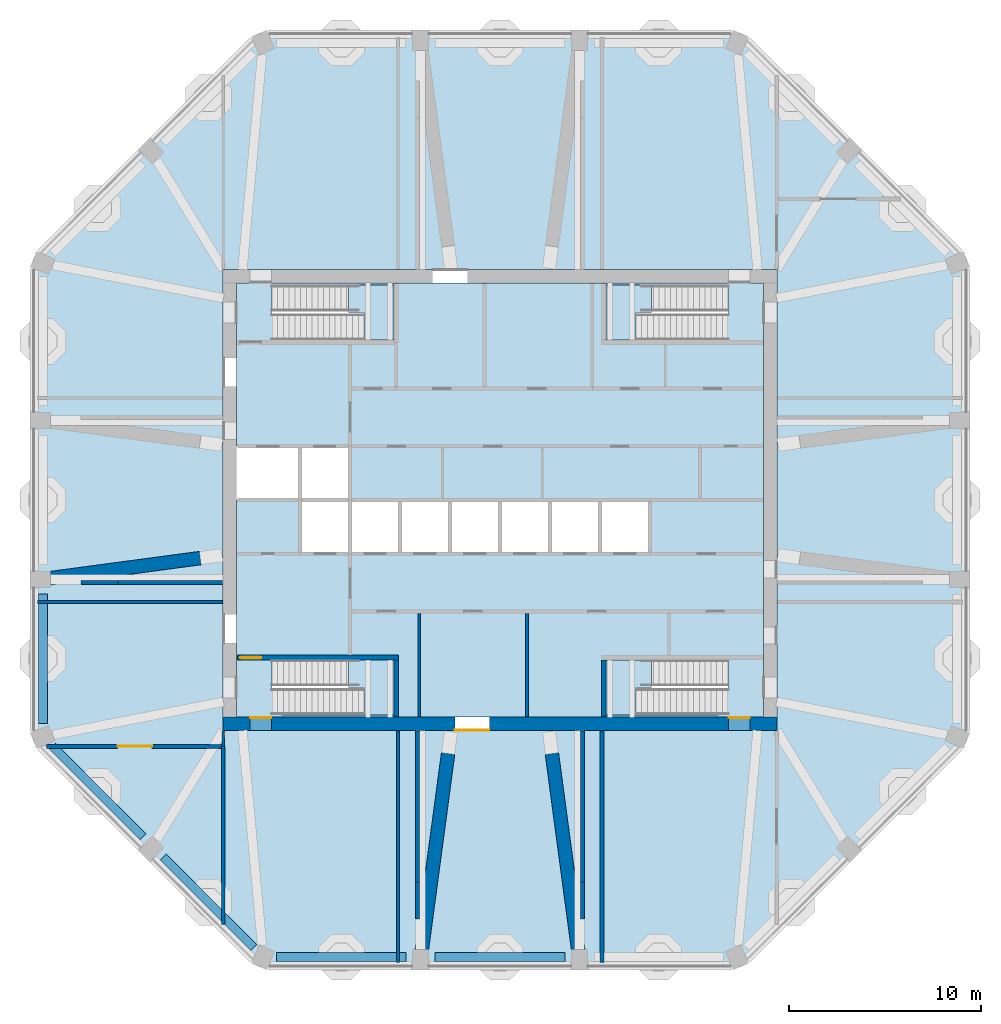
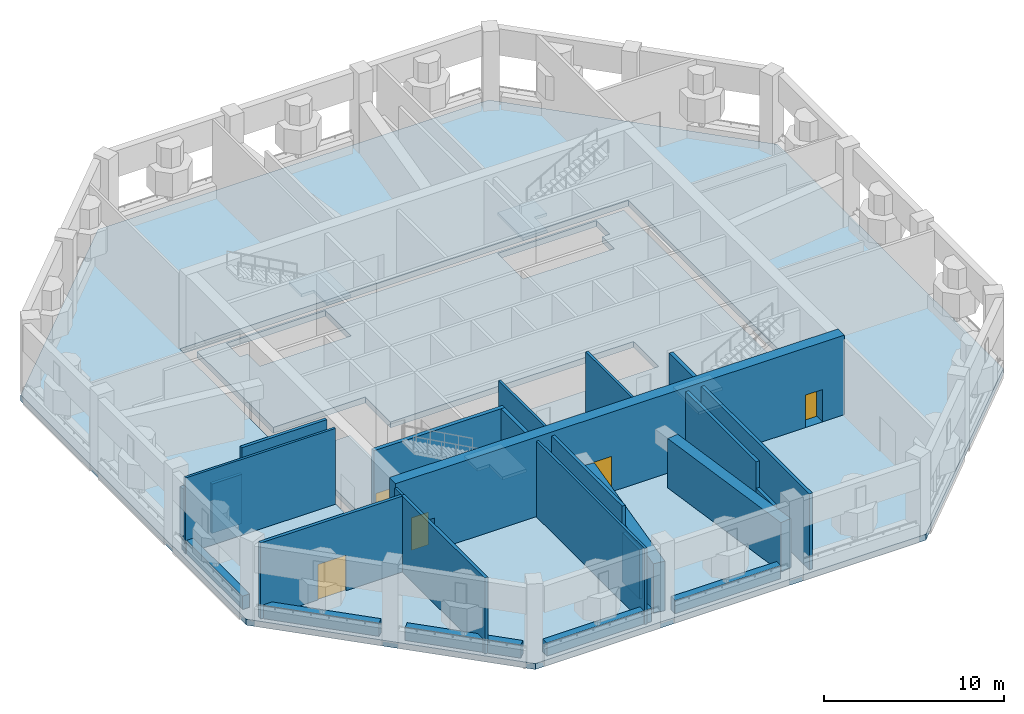
# One storey, part 2 of 9: 26 walls, 6 slabs, 5 doors, 5 openings, 4 elements without a shape of their own.
"""IFC4 building model written with IfcOpenShell, lengths in metres."""

from ifc_helpers import new_model, si_unit, direction, frame, frame_2d, origin, place, context, subcontext, project, spatial, polyline, rectangle, outline, extrude, material, layer, layer_set, type_object, element, fill, aggregate, save


model = new_model("IFC4")

# Units and contexts
model_context = context("Model", 3, precision=1e-05, world=origin(), true_north=direction((0.0, 1.0)))
body_context = subcontext(model_context, "Body", "Model", "MODEL_VIEW")
ifc_project = project(units=[si_unit("LENGTHUNIT", "METRE"), si_unit("AREAUNIT", "SQUARE_METRE"), si_unit("VOLUMEUNIT", "CUBIC_METRE"), si_unit("PLANEANGLEUNIT", "RADIAN"), si_unit("MASSUNIT", "GRAM", prefix="KILO")], contexts=[model_context])

# Site, building, storey
site_placement = place(None, origin())
site = spatial("IfcSite", under=ifc_project, at=site_placement, CompositionType="ELEMENT")
building_placement = place(site_placement, origin())
building = spatial("IfcBuilding", under=site, at=building_placement, Name="Msitu Wima Residences", CompositionType="ELEMENT")
storey_placement = place(building_placement, frame((0.0, 0.0, 208.5)))
storey = spatial("IfcBuildingStorey", under=building, at=storey_placement, Name="L48", CompositionType="ELEMENT", Elevation=208.5)

# Slabs
ifc_material_1 = material(Name="Concrete C40/50", Category="concrete")
ifc_layer_1 = layer(ifc_material_1, 0.402099609375)
ifc_layer_set_1 = layer_set([ifc_layer_1], Name="Concrete C40/50")
slab_type_1 = type_object("IfcSlabType", Name="Core floor CF402", PredefinedType="FLOOR", material=ifc_layer_set_1)
slab_1_placement = place(storey_placement, frame((0.0, 0.0, -0.402099609375)))
element("IfcSlab", 1, at=slab_1_placement, inside=storey, type_object=slab_type_1, Name="Core floor", PredefinedType="FLOOR", context=body_context, shape_type="SweptSolid", body=[
    extrude(outline(polyline([(-13.699951171875, 11.300048828125), (-13.699951171875, 2.800048828125), (-10.39990234375, 2.800048828125), (-7.800048828125, 2.800048828125), (-7.800048828125, 0.0), (-5.199951171875, 0.0), (-2.60009765625, 0.0), (0.0, 0.0), (2.60009765625, 0.0), (5.199951171875, 0.0), (7.800048828125, 0.0), (7.800048828125, -2.800048828125), (5.199951171875, -2.800048828125), (2.60009765625, -2.800048828125), (0.0, -2.800048828125), (-2.60009765625, -2.800048828125), (-5.199951171875, -2.800048828125), (-7.800048828125, -2.800048828125), (-10.39990234375, -2.800048828125), (-10.39990234375, 0.0), (-13.699951171875, 0.0), (-13.699951171875, -11.300048828125), (13.699951171875, -11.300048828125), (13.699951171875, 11.300048828125), (-13.699951171875, 11.300048828125)]), holes=[polyline([(-11.375, -11.175048828125), (-11.375, -9.824951171875), (-11.87451171875, -9.824951171875), (-11.87451171875, -8.324951171875), (-5.52490234375, -8.324951171875), (-5.52490234375, -11.175048828125), (-11.375, -11.175048828125)]), polyline([(-11.375, 8.324951171875), (-11.375, 9.675048828125), (-11.87451171875, 9.675048828125), (-11.87451171875, 11.175048828125), (-5.52490234375, 11.175048828125), (-5.52490234375, 8.324951171875), (-11.375, 8.324951171875)]), polyline([(11.375, -9.824951171875), (11.375, -11.175048828125), (5.52490234375, -11.175048828125), (5.52490234375, -8.324951171875), (11.87451171875, -8.324951171875), (11.87451171875, -9.824951171875), (11.375, -9.824951171875)]), polyline([(11.375, 9.675048828125), (11.375, 8.324951171875), (5.52490234375, 8.324951171875), (5.52490234375, 11.175048828125), (11.87451171875, 11.175048828125), (11.87451171875, 9.675048828125), (11.375, 9.675048828125)])]), origin(), (0.0, 0.0, 1.0), 0.402099609375),
])
ifc_layer_2 = layer(ifc_material_1, 0.39990234375)
ifc_layer_set_2 = layer_set([ifc_layer_2], Name="Concrete C40/50")
slab_type_2 = type_object("IfcSlabType", Name="PT flat slab 400 Concrete C40/50", PredefinedType="FLOOR", material=ifc_layer_set_2)
slab_2_placement = place(storey_placement, frame((0.0, 0.0, -0.400390625)))
element("IfcSlab", 2, at=slab_2_placement, inside=storey, type_object=slab_type_2, Name="Floor slab L48", PredefinedType="FLOOR", context=body_context, shape_type="SweptSolid", body=[
    extrude(outline(polyline([(24.300048828125, -12.5361328125), (12.5361328125, -24.300048828125), (-12.5361328125, -24.300048828125), (-24.300048828125, -12.5361328125), (-24.300048828125, 12.5361328125), (-12.5361328125, 24.300048828125), (12.5361328125, 24.300048828125), (24.300048828125, 12.5361328125), (24.300048828125, -12.5361328125)]), holes=[polyline([(-14.39990234375, -12.0), (14.39990234375, -12.0), (14.39990234375, 12.0), (-14.39990234375, 12.0), (-14.39990234375, -12.0)])]), origin(), (0.0, 0.0, 1.0), 0.400390625),
])

# Stair, slab
stair_type = type_object("IfcStairType", Name="Exit stair ES1636-135", PredefinedType="HALF_TURN_STAIR", material=ifc_material_1)
stair_1_placement = place(storey_placement, origin())
stair_1 = element("IfcStair", 3, at=stair_1_placement, inside=storey, type_object=stair_type, Name="Exit stair 1", PredefinedType="HALF_TURN_STAIR")
ifc_layer_3 = layer(ifc_material_1, 0.199951171875)
ifc_layer_set_3 = layer_set([ifc_layer_3], Name="Concrete C40/50")
slab_type_3 = type_object("IfcSlabType", Name="Stair landing SL200", PredefinedType="LANDING", material=ifc_layer_set_3)
slab_3_placement = place(storey_placement, frame((0.0, 0.0, 2.581787109375)))
slab_3 = element("IfcSlab", 4, at=slab_3_placement, type_object=slab_type_3, Name="S1 landing 1", PredefinedType="LANDING", context=body_context, shape_type="SweptSolid", body=[
    extrude(outline(polyline([(-5.52490234375, 8.324951171875), (-7.075439453125, 8.324951171875), (-7.075439453125, 9.75), (-7.875, 9.75), (-7.875, 11.175048828125), (-5.52490234375, 11.175048828125), (-5.52490234375, 8.324951171875)])), origin(), (0.0, 0.0, 1.0), 0.199951171875),
])
aggregate(stair_1, [slab_3])

stair_2_placement = place(storey_placement, origin())
stair_2 = element("IfcStair", 5, at=stair_2_placement, inside=storey, type_object=stair_type, Name="Exit stair 2", PredefinedType="HALF_TURN_STAIR")
slab_4_placement = place(storey_placement, frame((0.0, 0.0, 2.581787109375)))
slab_4 = element("IfcSlab", 6, at=slab_4_placement, type_object=slab_type_3, Name="S2 landing 1", PredefinedType="LANDING", context=body_context, shape_type="SweptSolid", body=[
    extrude(outline(polyline([(-5.52490234375, -11.175048828125), (-7.075439453125, -11.175048828125), (-7.075439453125, -9.75), (-7.875, -9.75), (-7.875, -8.324951171875), (-5.52490234375, -8.324951171875), (-5.52490234375, -11.175048828125)])), origin(), (0.0, 0.0, 1.0), 0.199951171875),
])
aggregate(stair_2, [slab_4])

stair_3_placement = place(storey_placement, origin())
stair_3 = element("IfcStair", 7, at=stair_3_placement, inside=storey, type_object=stair_type, Name="Exit stair 3", PredefinedType="HALF_TURN_STAIR")
slab_5_placement = place(storey_placement, frame((0.0, 0.0, 2.581787109375)))
slab_5 = element("IfcSlab", 8, at=slab_5_placement, type_object=slab_type_3, Name="S3 landing 1", PredefinedType="LANDING", context=body_context, shape_type="SweptSolid", body=[
    extrude(outline(polyline([(5.52490234375, 8.324951171875), (7.075439453125, 8.324951171875), (7.075439453125, 9.75), (7.875, 9.75), (7.875, 11.175048828125), (5.52490234375, 11.175048828125), (5.52490234375, 8.324951171875)])), origin(), (0.0, 0.0, 1.0), 0.199951171875),
])
aggregate(stair_3, [slab_5])

stair_4_placement = place(storey_placement, origin())
stair_4 = element("IfcStair", 9, at=stair_4_placement, inside=storey, type_object=stair_type, Name="Exit stair 4", PredefinedType="HALF_TURN_STAIR")
slab_6_placement = place(storey_placement, frame((0.0, 0.0, 2.581787109375)))
slab_6 = element("IfcSlab", 10, at=slab_6_placement, type_object=slab_type_3, Name="S4 landing 1", PredefinedType="LANDING", context=body_context, shape_type="SweptSolid", body=[
    extrude(outline(polyline([(5.52490234375, -11.175048828125), (7.075439453125, -11.175048828125), (7.075439453125, -9.75), (7.875, -9.75), (7.875, -8.324951171875), (5.52490234375, -8.324951171875), (5.52490234375, -11.175048828125)])), origin(), (0.0, 0.0, 1.0), 0.199951171875),
])
aggregate(stair_4, [slab_6])

# Walls
ifc_material_2 = material(Name="Facing brick")
ifc_layer_4 = layer(ifc_material_2, 0.06494140625, Name="Facing brick")
ifc_layer_5 = layer(ifc_material_1, 0.156005859375, Name="Concrete C40/50")
ifc_material_3 = material(Name="Waterproofing membrane")
ifc_layer_6 = layer(ifc_material_3, 0.00390625, Name="Waterproofing membrane")
ifc_material_4 = material(Name="Planting soil and planting")
ifc_layer_7 = layer(ifc_material_4, 0.22509765625, Name="Planting soil and planting")
ifc_layer_set_4 = layer_set([ifc_layer_4, ifc_layer_5, ifc_layer_6, ifc_layer_7], Name="Concrete C40/50")
wall_type_1 = type_object("IfcWallType", Name="Balcony planter PLANTER PL450", PredefinedType="USERDEFINED", material=ifc_layer_set_4)
wall_1_placement = place(storey_placement, frame((-23.77490234375, -4.88720703125, 0.0), z_axis=(0.0, 0.0, 1.0), x_axis=(0.0, -1.0, 0.0)))
element("IfcWall", 11, at=wall_1_placement, inside=storey, type_object=wall_type_1, Name="Refuge planter L48 W2", ObjectType="PLANTER", PredefinedType="USERDEFINED", context=body_context, shape_type="SweptSolid", body=[
    extrude(rectangle(XDim=6.737548828125, YDim=0.449951171875, at=frame_2d((3.36865234375, 0.0))), origin(), (0.0, 0.0, 1.0), 0.89990234375),
])
for number, where, z_axis, x_axis, name in (
    (12, (-23.284423828125, -12.809326171875, 0.0), (0.0, 0.0, 1.0), (0.707125118305, -0.707088443593, 0.0), "Refuge planter L48 SW0"),
    (13, (-17.516357421875, -18.5771484375, 0.0), (0.0, 0.0, 1.0), (0.707088443593, -0.707125118305, 0.0), "Refuge planter L48 SW1"),
):
    element("IfcWall", number, at=place(storey_placement, frame(where, z_axis=z_axis, x_axis=x_axis)), inside=storey, type_object=wall_type_1, Name=name, ObjectType="PLANTER", PredefinedType="USERDEFINED", context=body_context, shape_type="SweptSolid", body=[
        extrude(rectangle(XDim=6.656982421875, YDim=0.449951171875, at=frame_2d((3.32861328125, 0.0))), origin(), (0.0, 0.0, 1.0), 0.89990234375),
    ])
wall_2_placement = place(storey_placement, frame((-11.624755859375, -23.77490234375, 0.0), z_axis=(0.0, 0.0, 1.0), x_axis=(1.0, 0.0, 0.0)))
element("IfcWall", 14, at=wall_2_placement, inside=storey, type_object=wall_type_1, Name="Refuge planter L48 S0", ObjectType="PLANTER", PredefinedType="USERDEFINED", context=body_context, shape_type="SweptSolid", body=[
    extrude(rectangle(XDim=6.737548828125, YDim=0.449951171875, at=frame_2d((3.36865234375, 0.0))), origin(), (0.0, 0.0, 1.0), 0.89990234375),
])
wall_3_placement = place(storey_placement, frame((-3.38720703125, -23.77490234375, 0.0), z_axis=(0.0, 0.0, 1.0), x_axis=(1.0, 0.0, 0.0)))
element("IfcWall", 15, at=wall_3_placement, inside=storey, type_object=wall_type_1, Name="Refuge planter L48 S1", ObjectType="PLANTER", PredefinedType="USERDEFINED", context=body_context, shape_type="SweptSolid", body=[
    extrude(rectangle(XDim=6.7744140625, YDim=0.449951171875, at=frame_2d((3.38720703125, 0.0))), origin(), (0.0, 0.0, 1.0), 0.89990234375),
])

# Wall, openings, doors
ifc_material_5 = material(Name="Concrete C60/75", Category="concrete")
ifc_layer_8 = layer(ifc_material_5, 0.699951171875)
ifc_layer_set_5 = layer_set([ifc_layer_8], Name="Concrete C60/75")
wall_type_2 = type_object("IfcWallType", Name="Core wall CW700 C60/75", PredefinedType="SHEAR", material=ifc_layer_set_5)
wall_4_placement = place(storey_placement, frame((-14.39990234375, -11.64990234375, 0.0), z_axis=(0.0, 0.0, 1.0), x_axis=(1.0, 0.0, 0.0)))
wall_4 = element("IfcWall", 16, at=wall_4_placement, inside=storey, type_object=wall_type_2, Name="Core wall", PredefinedType="SHEAR", context=body_context, shape_type="SweptSolid", body=[
    extrude(rectangle(XDim=28.7998046875, YDim=0.699951171875, at=frame_2d((14.39990234375, 0.0))), origin(), (0.0, 0.0, 1.0), 5.39990234375),
])
opening_1_placement = place(wall_4_placement, frame((1.39990234375, 0.0, 0.0)))
opening_1 = element("IfcOpeningElement", 17, at=opening_1_placement, cuts=wall_4, Name="Opening D48.021", PredefinedType="OPENING", context=body_context, shape_type="SweptSolid", body=[
    extrude(rectangle(XDim=1.10009765625, YDim=2.199951171875, at=frame_2d((0.550048828125, 1.10009765625))), frame((0.0, 0.35986328125, 0.0), z_axis=(0.0, -1.0, 0.0), x_axis=(1.0, 0.0, 0.0)), (0.0, 0.0, 1.0), 0.719970703125),
])
opening_2_placement = place(wall_4_placement, frame((26.300048828125, 0.0, 0.0)))
opening_2 = element("IfcOpeningElement", 18, at=opening_2_placement, cuts=wall_4, Name="Opening D48.023", PredefinedType="OPENING", context=body_context, shape_type="SweptSolid", body=[
    extrude(rectangle(XDim=1.10009765625, YDim=2.199951171875, at=frame_2d((0.550048828125, 1.10009765625))), frame((0.0, 0.35986328125, 0.0), z_axis=(0.0, -1.0, 0.0), x_axis=(1.0, 0.0, 0.0)), (0.0, 0.0, 1.0), 0.719970703125),
])
opening_3_placement = place(wall_4_placement, frame((12.050048828125, 0.0, 0.0)))
opening_3 = element("IfcOpeningElement", 19, at=opening_3_placement, cuts=wall_4, Name="Opening D48.025", PredefinedType="OPENING", context=body_context, shape_type="SweptSolid", body=[
    extrude(rectangle(XDim=1.800048828125, YDim=2.39990234375, at=frame_2d((0.89990234375, 1.199951171875))), frame((0.0, 0.35986328125, 0.0), z_axis=(0.0, -1.0, 0.0), x_axis=(1.0, 0.0, 0.0)), (0.0, 0.0, 1.0), 0.719970703125),
])
ifc_material_6 = material(Name="Steel door, fire resisting", Category="steel")
door_type_1 = type_object("IfcDoorType", Name="Plant room door D09 1800x2400", OperationType="DOUBLE_DOOR_SINGLE_SWING", PredefinedType="DOOR", material=ifc_material_6)
door_1_placement = place(opening_3_placement, origin())
door_1 = element("IfcDoor", 20, at=door_1_placement, inside=storey, type_object=door_type_1, Name="Plant room door", OperationType="DOUBLE_DOOR_SINGLE_SWING", OverallHeight=2.39990234375, OverallWidth=1.800048828125, PredefinedType="DOOR", context=body_context, shape_type="SweptSolid", body=[
    extrude(rectangle(XDim=1.800048828125, YDim=2.39990234375, at=frame_2d((0.89990234375, 1.199951171875))), frame((0.0, -0.294921875, 0.0), z_axis=(0.0, -1.0, 0.0), x_axis=(1.0, 0.0, 0.0)), (0.0, 0.0, 1.0), 0.050048828125),
])
fill(opening_3, door_1)
ifc_material_7 = material(Name="Steel door, fire resisting, panic bar", Category="steel")
door_type_2 = type_object("IfcDoorType", Name="Stair door D06 1100x2200", OperationType="SINGLE_SWING_LEFT", PredefinedType="DOOR", material=ifc_material_7)
door_2_placement = place(opening_1_placement, origin())
door_2 = element("IfcDoor", 21, at=door_2_placement, inside=storey, type_object=door_type_2, Name="Stair door", OperationType="SINGLE_SWING_LEFT", OverallHeight=2.199951171875, OverallWidth=1.10009765625, PredefinedType="DOOR", context=body_context, shape_type="SweptSolid", body=[
    extrude(rectangle(XDim=1.10009765625, YDim=2.199951171875, at=frame_2d((0.550048828125, 1.10009765625))), frame((0.0, 0.34521484375, 0.0), z_axis=(0.0, -1.0, 0.0), x_axis=(1.0, 0.0, 0.0)), (0.0, 0.0, 1.0), 0.050048828125),
])
fill(opening_1, door_2)
door_3_placement = place(opening_2_placement, origin())
door_3 = element("IfcDoor", 22, at=door_3_placement, inside=storey, type_object=door_type_2, Name="Stair door", OperationType="SINGLE_SWING_RIGHT", OverallHeight=2.199951171875, OverallWidth=1.10009765625, PredefinedType="DOOR", context=body_context, shape_type="SweptSolid", body=[
    extrude(rectangle(XDim=1.10009765625, YDim=2.199951171875, at=frame_2d((0.550048828125, 1.10009765625))), frame((0.0, 0.34521484375, 0.0), z_axis=(0.0, -1.0, 0.0), x_axis=(1.0, 0.0, 0.0)), (0.0, 0.0, 1.0), 0.050048828125),
])
fill(opening_2, door_3)

# Walls
ifc_material_8 = material(Name="Concrete C80/95", Category="concrete")
ifc_layer_9 = layer(ifc_material_8, 0.699951171875)
ifc_layer_set_6 = layer_set([ifc_layer_9], Name="Concrete C80/95")
wall_type_3 = type_object("IfcWallType", Name="Outrigger wall 700 Concrete C80/95", PredefinedType="SHEAR", material=ifc_layer_set_6)
wall_5_placement = place(storey_placement, frame((-15.58935546875, -3.021240234375, 0.0), z_axis=(0.0, 0.0, 1.0), x_axis=(-0.991157137801, -0.132693361503, 0.0)))
element("IfcWall", 23, at=wall_5_placement, inside=storey, type_object=wall_type_3, Name="Outrigger wall L48 C-W2", PredefinedType="SHEAR", context=body_context, shape_type="SweptSolid", body=[
    extrude(rectangle(XDim=7.880126953125, YDim=0.699951171875, at=frame_2d((3.93994140625, 0.0))), origin(), (0.0, 0.0, 1.0), 3.35009765625),
])
for number, where, z_axis, x_axis, name in (
    (24, (-2.699951171875, -13.189453125, 0.0), (0.0, 0.0, 1.0), (-0.132693057304, -0.991157178526, 0.0), "Outrigger wall L48 C-S1"),
    (25, (2.699951171875, -13.189453125, 0.0), (0.0, 0.0, 1.0), (0.132693057304, -0.991157178526, 0.0), "Outrigger wall L48 C-S2"),
):
    element("IfcWall", number, at=place(storey_placement, frame(where, z_axis=z_axis, x_axis=x_axis)), inside=storey, type_object=wall_type_3, Name=name, PredefinedType="SHEAR", context=body_context, shape_type="SweptSolid", body=[
        extrude(rectangle(XDim=10.301513671875, YDim=0.699951171875, at=frame_2d((5.15087890625, 0.0))), origin(), (0.0, 0.0, 1.0), 3.35009765625),
    ])
ifc_material_9 = material(Name="Plaster")
ifc_layer_10 = layer(ifc_material_9, 0.011962890625, Name="Plaster")
ifc_material_10 = material(Name="Concrete blockwork", Category="masonry")
ifc_layer_11 = layer(ifc_material_10, 0.1259765625, Name="Concrete blockwork")
ifc_layer_12 = layer(ifc_material_9, 0.011962890625, Name="Plaster")
ifc_layer_set_7 = layer_set([ifc_layer_10, ifc_layer_11, ifc_layer_12], Name="Concrete blockwork")
wall_type_4 = type_object("IfcWallType", Name="Partition PW150", PredefinedType="PARTITIONING", material=ifc_layer_set_7)
wall_6_placement = place(storey_placement, frame((-24.054931640625, -5.300048828125, 0.0), z_axis=(0.0, 0.0, 1.0), x_axis=(1.0, 0.0, 0.0)))
element("IfcWall", 26, at=wall_6_placement, inside=storey, type_object=wall_type_4, Name="Partition", PredefinedType="PARTITIONING", context=body_context, shape_type="SweptSolid", body=[
    extrude(rectangle(XDim=9.625, YDim=0.14990234375, at=frame_2d((4.8125, 0.0))), origin(), (0.0, 0.0, 1.0), 5.14990234375),
])
wall_7_placement = place(storey_placement, frame((-14.39990234375, -12.8203125, 0.0), z_axis=(0.0, 0.0, 1.0), x_axis=(0.0, 1.0, 0.0)))
element("IfcWall", 27, at=wall_7_placement, inside=storey, type_object=wall_type_4, Name="Partition", PredefinedType="PARTITIONING", context=body_context, shape_type="SweptSolid", body=[
    extrude(rectangle(XDim=0.790283203125, YDim=0.14990234375, at=frame_2d((0.39501953125, 0.0))), origin(), (0.0, 0.0, 1.0), 5.14990234375),
])
wall_8_placement = place(storey_placement, frame((-5.300048828125, -24.054931640625, 0.0), z_axis=(0.0, 0.0, 1.0), x_axis=(0.0, 1.0, 0.0)))
element("IfcWall", 28, at=wall_8_placement, inside=storey, type_object=wall_type_4, Name="Partition", PredefinedType="PARTITIONING", context=body_context, shape_type="SweptSolid", body=[
    extrude(rectangle(XDim=12.02490234375, YDim=0.14990234375, at=frame_2d((6.012451171875, 0.0))), origin(), (0.0, 0.0, 1.0), 5.14990234375),
])
for number, where, z_axis, x_axis, name in (
    (29, (-4.199951171875, -11.27001953125, 0.0), (0.0, 0.0, 1.0), (0.0, 1.0, 0.0), "Partition"),
    (30, (1.39990234375, -11.27001953125, 0.0), (0.0, 0.0, 1.0), (0.0, 1.0, 0.0), "Partition"),
):
    element("IfcWall", number, at=place(storey_placement, frame(where, z_axis=z_axis, x_axis=x_axis)), inside=storey, type_object=wall_type_4, Name=name, PredefinedType="PARTITIONING", context=body_context, shape_type="SweptSolid", body=[
        extrude(rectangle(XDim=5.3701171875, YDim=0.14990234375, at=frame_2d((2.68505859375, 0.0))), origin(), (0.0, 0.0, 1.0), 5.14990234375),
    ])
ifc_layer_13 = layer(ifc_material_9, 0.011962890625, Name="Plaster")
ifc_material_11 = material(Name="Reinforced concrete blockwork", Category="masonry")
ifc_layer_14 = layer(ifc_material_11, 0.176025390625, Name="Reinforced concrete blockwork")
ifc_layer_15 = layer(ifc_material_9, 0.011962890625, Name="Plaster")
ifc_layer_set_8 = layer_set([ifc_layer_13, ifc_layer_14, ifc_layer_15], Name="Reinforced concrete blockwork")
wall_type_5 = type_object("IfcWallType", Name="Plant and riser wall PL200", PredefinedType="PARTITIONING", material=ifc_layer_set_8)
wall_9_placement = place(storey_placement, frame((-21.802978515625, -4.300048828125, 0.0), z_axis=(0.0, 0.0, 1.0), x_axis=(1.0, 0.0, 0.0)))
element("IfcWall", 31, at=wall_9_placement, inside=storey, type_object=wall_type_5, Name="Plant and riser wall", PredefinedType="PARTITIONING", context=body_context, shape_type="SweptSolid", body=[
    extrude(rectangle(XDim=1.9306640625, YDim=0.199951171875, at=frame_2d((0.96533203125, 0.0))), origin(), (0.0, 0.0, 1.0), 3.35009765625),
])
wall_10_placement = place(storey_placement, frame((-19.872314453125, -4.300048828125, 0.0), z_axis=(0.0, 0.0, 1.0), x_axis=(1.0, 0.0, 0.0)))
element("IfcWall", 32, at=wall_10_placement, inside=storey, type_object=wall_type_5, Name="Plant and riser wall", PredefinedType="PARTITIONING", context=body_context, shape_type="SweptSolid", body=[
    extrude(rectangle(XDim=5.4423828125, YDim=0.199951171875, at=frame_2d((2.72119140625, 0.0))), origin(), (0.0, 0.0, 1.0), 5.14990234375),
])

# Wall, opening, door
wall_11_placement = place(storey_placement, frame((-23.599365234375, -12.8203125, 0.0), z_axis=(0.0, 0.0, 1.0), x_axis=(1.0, 0.0, 0.0)))
wall_11 = element("IfcWall", 33, at=wall_11_placement, inside=storey, type_object=wall_type_5, Name="Plant and riser wall", PredefinedType="PARTITIONING", context=body_context, shape_type="SweptSolid", body=[
    extrude(rectangle(XDim=9.099365234375, YDim=0.199951171875, at=frame_2d((4.5498046875, 0.0))), origin(), (0.0, 0.0, 1.0), 5.14990234375),
])
opening_4_placement = place(wall_11_placement, frame((3.699951171875, 0.0, 0.0)))
opening_4 = element("IfcOpeningElement", 34, at=opening_4_placement, cuts=wall_11, Name="Opening D48.033", PredefinedType="OPENING", context=body_context, shape_type="SweptSolid", body=[
    extrude(rectangle(XDim=1.800048828125, YDim=2.39990234375, at=frame_2d((0.89990234375, 1.199951171875))), frame((0.0, 0.10986328125, 0.0), z_axis=(0.0, -1.0, 0.0), x_axis=(1.0, 0.0, 0.0)), (0.0, 0.0, 1.0), 0.219970703125),
])
door_4_placement = place(opening_4_placement, origin())
door_4 = element("IfcDoor", 35, at=door_4_placement, inside=storey, type_object=door_type_1, Name="Plant room door", OperationType="DOUBLE_DOOR_SINGLE_SWING", OverallHeight=2.39990234375, OverallWidth=1.800048828125, PredefinedType="DOOR", context=body_context, shape_type="SweptSolid", body=[
    extrude(rectangle(XDim=1.800048828125, YDim=2.39990234375, at=frame_2d((0.89990234375, 1.199951171875))), frame((0.0, 0.02490234375, 0.0), z_axis=(0.0, -1.0, 0.0), x_axis=(1.0, 0.0, 0.0)), (0.0, 0.0, 1.0), 0.050048828125),
])
fill(opening_4, door_4)

# Walls
wall_12_placement = place(storey_placement, frame((-14.39990234375, -22.089599609375, 0.0), z_axis=(0.0, 0.0, 1.0), x_axis=(0.0, 1.0, 0.0)))
element("IfcWall", 36, at=wall_12_placement, inside=storey, type_object=wall_type_5, Name="Plant and riser wall", PredefinedType="PARTITIONING", context=body_context, shape_type="SweptSolid", body=[
    extrude(rectangle(XDim=9.269287109375, YDim=0.199951171875, at=frame_2d((4.634765625, 0.0))), origin(), (0.0, 0.0, 1.0), 5.14990234375),
])
wall_13_placement = place(storey_placement, frame((-4.300048828125, -21.802978515625, 0.0), z_axis=(0.0, 0.0, 1.0), x_axis=(0.0, 1.0, 0.0)))
element("IfcWall", 37, at=wall_13_placement, inside=storey, type_object=wall_type_5, Name="Plant and riser wall", PredefinedType="PARTITIONING", context=body_context, shape_type="SweptSolid", body=[
    extrude(rectangle(XDim=1.9306640625, YDim=0.199951171875, at=frame_2d((0.96533203125, 0.0))), origin(), (0.0, 0.0, 1.0), 3.35009765625),
])
wall_14_placement = place(storey_placement, frame((-4.300048828125, -19.872314453125, 0.0), z_axis=(0.0, 0.0, 1.0), x_axis=(0.0, 1.0, 0.0)))
element("IfcWall", 38, at=wall_14_placement, inside=storey, type_object=wall_type_5, Name="Plant and riser wall", PredefinedType="PARTITIONING", context=body_context, shape_type="SweptSolid", body=[
    extrude(rectangle(XDim=7.84228515625, YDim=0.199951171875, at=frame_2d((3.921142578125, 0.0))), origin(), (0.0, 0.0, 1.0), 5.14990234375),
])
wall_15_placement = place(storey_placement, frame((4.300048828125, -21.802978515625, 0.0), z_axis=(0.0, 0.0, 1.0), x_axis=(0.0, 1.0, 0.0)))
element("IfcWall", 39, at=wall_15_placement, inside=storey, type_object=wall_type_5, Name="Plant and riser wall", PredefinedType="PARTITIONING", context=body_context, shape_type="SweptSolid", body=[
    extrude(rectangle(XDim=1.9306640625, YDim=0.199951171875, at=frame_2d((0.96533203125, 0.0))), origin(), (0.0, 0.0, 1.0), 3.35009765625),
])
wall_16_placement = place(storey_placement, frame((4.300048828125, -19.872314453125, 0.0), z_axis=(0.0, 0.0, 1.0), x_axis=(0.0, 1.0, 0.0)))
element("IfcWall", 40, at=wall_16_placement, inside=storey, type_object=wall_type_5, Name="Plant and riser wall", PredefinedType="PARTITIONING", context=body_context, shape_type="SweptSolid", body=[
    extrude(rectangle(XDim=7.84228515625, YDim=0.199951171875, at=frame_2d((3.921142578125, 0.0))), origin(), (0.0, 0.0, 1.0), 5.14990234375),
])
wall_17_placement = place(storey_placement, frame((5.300048828125, -24.054931640625, 0.0), z_axis=(0.0, 0.0, 1.0), x_axis=(0.0, 1.0, 0.0)))
element("IfcWall", 41, at=wall_17_placement, inside=storey, type_object=wall_type_5, Name="Plant and riser wall", PredefinedType="PARTITIONING", context=body_context, shape_type="SweptSolid", body=[
    extrude(rectangle(XDim=12.02490234375, YDim=0.199951171875, at=frame_2d((6.012451171875, 0.0))), origin(), (0.0, 0.0, 1.0), 5.14990234375),
])

# Wall, opening, door
ifc_material_12 = material(Name="Concrete C50/60", Category="concrete")
ifc_layer_16 = layer(ifc_material_12, 0.25)
ifc_layer_set_9 = layer_set([ifc_layer_16], Name="Concrete C50/60")
wall_type_6 = type_object("IfcWallType", Name="Stair enclosure wall SW250", PredefinedType="SHEAR", material=ifc_layer_set_9)
wall_18_placement = place(storey_placement, frame((-13.669921875, -8.199951171875, 0.0), z_axis=(0.0, 0.0, 1.0), x_axis=(1.0, 0.0, 0.0)))
wall_18 = element("IfcWall", 42, at=wall_18_placement, inside=storey, type_object=wall_type_6, Name="Stair enclosure wall", PredefinedType="SHEAR", context=body_context, shape_type="SweptSolid", body=[
    extrude(rectangle(XDim=8.39501953125, YDim=0.25, at=frame_2d((4.197509765625, 0.0))), origin(), (0.0, 0.0, 1.0), 5.14990234375),
])
opening_5_placement = place(wall_18_placement, frame((0.14990234375, 0.0, 0.0)))
opening_5 = element("IfcOpeningElement", 43, at=opening_5_placement, cuts=wall_18, Name="Opening D48.019", PredefinedType="OPENING", context=body_context, shape_type="SweptSolid", body=[
    extrude(rectangle(XDim=1.10009765625, YDim=2.199951171875, at=frame_2d((0.550048828125, 1.10009765625))), frame((0.0, 0.135009765625, 0.0), z_axis=(0.0, -1.0, 0.0), x_axis=(1.0, 0.0, 0.0)), (0.0, 0.0, 1.0), 0.27001953125),
])
door_5_placement = place(opening_5_placement, origin())
door_5 = element("IfcDoor", 44, at=door_5_placement, inside=storey, type_object=door_type_2, Name="Stair door", OperationType="SINGLE_SWING_RIGHT", OverallHeight=2.199951171875, OverallWidth=1.10009765625, PredefinedType="DOOR", context=body_context, shape_type="SweptSolid", body=[
    extrude(rectangle(XDim=1.10009765625, YDim=2.199951171875, at=frame_2d((0.550048828125, 1.10009765625))), frame((0.0, 0.02490234375, 0.0), z_axis=(0.0, -1.0, 0.0), x_axis=(1.0, 0.0, 0.0)), (0.0, 0.0, 1.0), 0.050048828125),
])
fill(opening_5, door_5)

# Walls
for number, where, z_axis, x_axis, name in (
    (45, (-5.39990234375, -11.27001953125, 0.0), (0.0, 0.0, 1.0), (0.0, 1.0, 0.0), "Stair enclosure wall"),
    (46, (5.39990234375, -11.27001953125, 0.0), (0.0, 0.0, 1.0), (0.0, 1.0, 0.0), "Stair enclosure wall"),
):
    element("IfcWall", number, at=place(storey_placement, frame(where, z_axis=z_axis, x_axis=x_axis)), inside=storey, type_object=wall_type_6, Name=name, PredefinedType="SHEAR", context=body_context, shape_type="SweptSolid", body=[
        extrude(rectangle(XDim=2.945068359375, YDim=0.25, at=frame_2d((1.47265625, 0.0))), origin(), (0.0, 0.0, 1.0), 5.14990234375),
    ])

save(model, "model.ifc")
